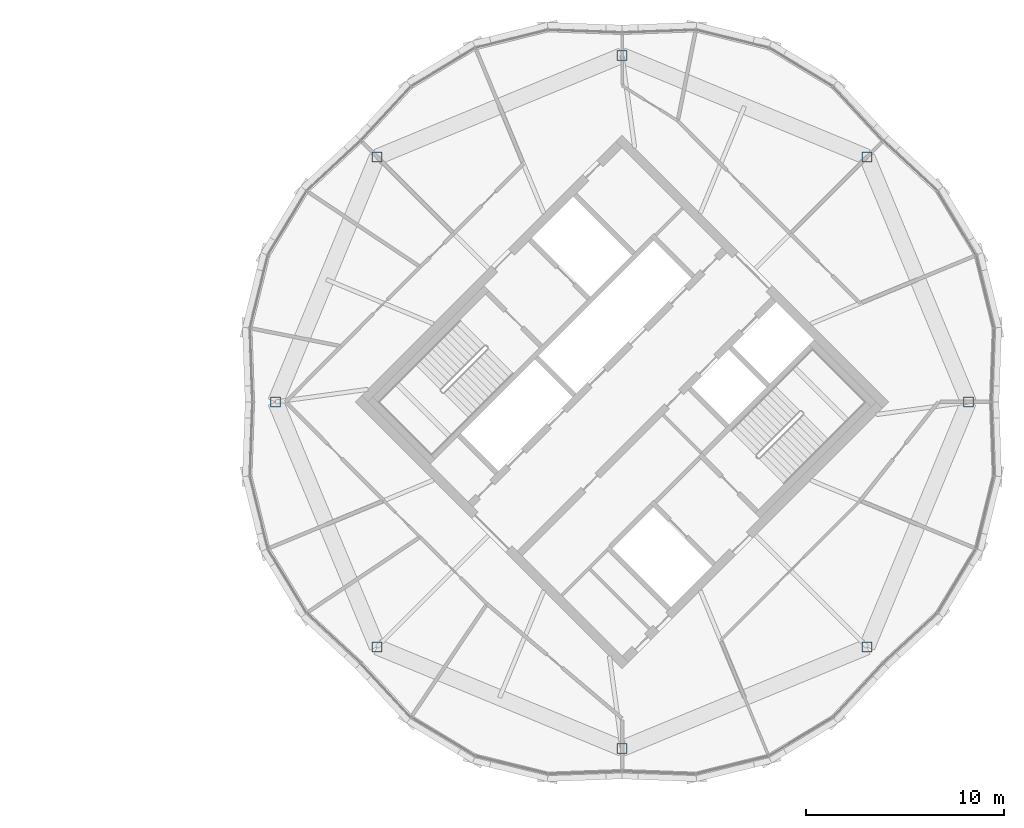
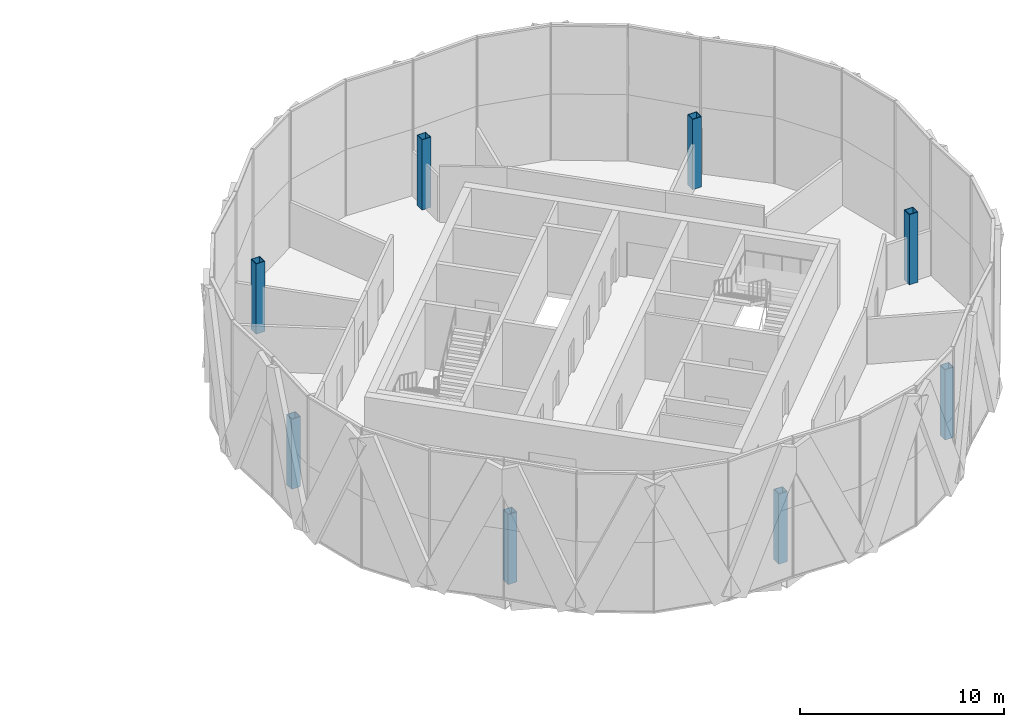
# One storey, part 2 of 24: 8 columns.
"""IFC4 building model written with IfcOpenShell, lengths in metres."""

from ifc_helpers import new_model, si_unit, direction, frame, origin, origin_2d, place, context, subcontext, project, spatial, hollow_rectangle, extrude, material, material_profile, profile_set, type_object, element, save


model = new_model("IFC4")

# Units and contexts
model_context = context("Model", 3, precision=1e-05, world=origin(), true_north=direction((0.0, 1.0)))
body_context = subcontext(model_context, "Body", "Model", "MODEL_VIEW")
ifc_project = project(units=[si_unit("LENGTHUNIT", "METRE"), si_unit("AREAUNIT", "SQUARE_METRE"), si_unit("VOLUMEUNIT", "CUBIC_METRE"), si_unit("PLANEANGLEUNIT", "RADIAN"), si_unit("MASSUNIT", "GRAM", prefix="KILO")], contexts=[model_context])

# Site, building, storey
site_placement = place(None, origin())
site = spatial("IfcSite", under=ifc_project, at=site_placement, CompositionType="ELEMENT")
building_placement = place(site_placement, origin())
building = spatial("IfcBuilding", under=site, at=building_placement, Name="Ogive Gate Towers", CompositionType="ELEMENT")
storey_placement = place(building_placement, frame((0.0, 0.0, 277.199951171875)))
storey = spatial("IfcBuildingStorey", under=building, at=storey_placement, Name="L65", CompositionType="ELEMENT", Elevation=277.199951171875)

# Columns
ifc_material = material(Name="Steel SM460", Category="steel")
ifc_material_profile = material_profile(ifc_material, hollow_rectangle(XDim=0.5, YDim=0.5, WallThickness=0.030029296875, at=origin_2d()), Name="BX 500x500x30")
ifc_profile_set = profile_set([ifc_material_profile], Name="Steel SM460")
column_type = type_object("IfcColumnType", Name="Perimeter post BX 500x500x30", PredefinedType="COLUMN", material=ifc_profile_set)
for number, where, z_axis, x_axis, name in (
    (1, (53.455078125, 0.0, 0.0), (0.0, 0.0, 1.0), (1.0, 0.0, 0.0), "T2/L65/SCL001"),
    (2, (48.342529296875, 12.342529296875, 0.0), (0.0, 0.0, 1.0), (1.0, 0.0, 0.0), "T2/L65/SCL002"),
    (3, (36.0, 17.455078125, 0.0), (0.0, 0.0, 1.0), (1.0, 0.0, 0.0), "T2/L65/SCL003"),
    (4, (23.657470703125, 12.342529296875, 0.0), (0.0, 0.0, 1.0), (1.0, 0.0, 0.0), "T2/L65/SCL004"),
    (5, (18.544921875, 0.0, 0.0), (0.0, 0.0, 1.0), (1.0, 0.0, 0.0), "T2/L65/SCL005"),
    (6, (23.657470703125, -12.342529296875, 0.0), (0.0, 0.0, 1.0), (1.0, 0.0, 0.0), "T2/L65/SCL006"),
    (7, (36.0, -17.455078125, 0.0), (0.0, 0.0, 1.0), (1.0, 0.0, 0.0), "T2/L65/SCL007"),
    (8, (48.342529296875, -12.342529296875, 0.0), (0.0, 0.0, 1.0), (1.0, 0.0, 0.0), "T2/L65/SCL008"),
):
    element("IfcColumn", number, at=place(storey_placement, frame(where, z_axis=z_axis, x_axis=x_axis)), inside=storey, type_object=column_type, Name=name, PredefinedType="COLUMN", context=body_context, shape_type="SweptSolid", body=[
        extrude(hollow_rectangle(XDim=0.5, YDim=0.5, WallThickness=0.030029296875, at=origin_2d()), origin(), (0.0, 0.0, 1.0), 4.199951171875),
    ])

save(model, "model.ifc")
